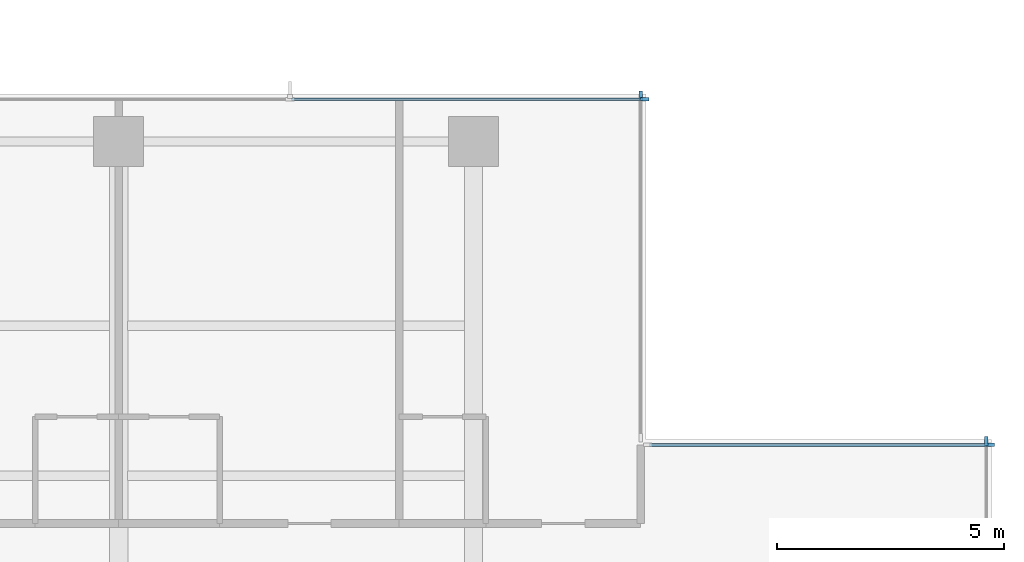
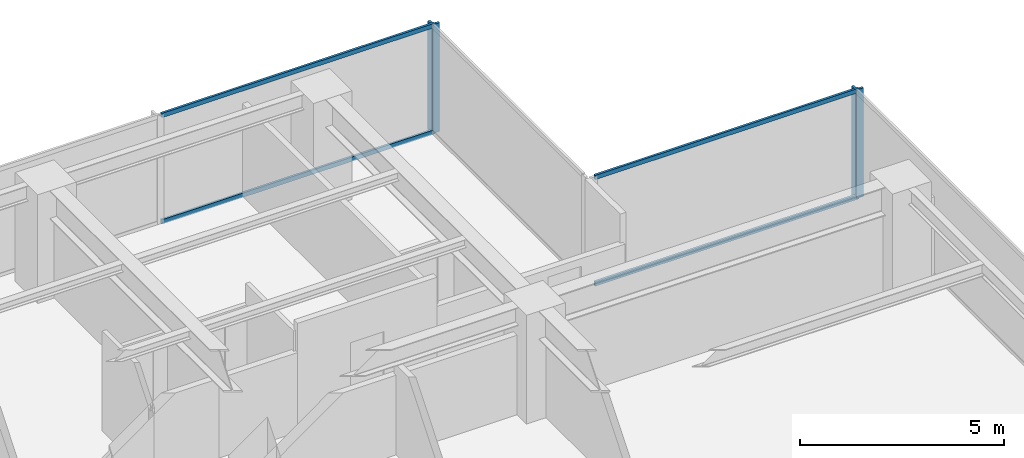
# One storey, part 5 of 14: 8 members, 4 elements without a shape of their own.
"""IFC4 building model written with IfcOpenShell, lengths in metres."""

from ifc_helpers import new_model, si_unit, direction, frame, origin, origin_2d, place, context, subcontext, project, spatial, rectangle, extrude, material, layer, layer_set, material_profile, profile_set, type_object, element, aggregate, save


model = new_model("IFC4")

# Units and contexts
model_context = context("Model", 3, precision=1e-05, world=origin(), true_north=direction((0.0, 1.0)))
body_context = subcontext(model_context, "Body", "Model", "MODEL_VIEW")
ifc_project = project(units=[si_unit("LENGTHUNIT", "METRE"), si_unit("AREAUNIT", "SQUARE_METRE"), si_unit("VOLUMEUNIT", "CUBIC_METRE"), si_unit("PLANEANGLEUNIT", "RADIAN"), si_unit("MASSUNIT", "GRAM", prefix="KILO")], contexts=[model_context])

# Site, building, storey
site_placement = place(None, origin())
site = spatial("IfcSite", under=ifc_project, at=site_placement, CompositionType="ELEMENT")
building_placement = place(site_placement, origin())
building = spatial("IfcBuilding", under=site, at=building_placement, Name="Qalmaran Belvedere Hotel", CompositionType="ELEMENT")
storey_placement = place(building_placement, frame((0.0, 0.0, 156.10009765625)))
storey = spatial("IfcBuildingStorey", under=building, at=storey_placement, Name="L39", CompositionType="ELEMENT", Elevation=156.10009765625)

# Curtain wall, member
ifc_material = material(Name="Anodised Bronze Aluminium", Category="aluminium")
ifc_layer = layer(ifc_material, 0.195068359375, Name="Anodised Bronze Aluminium")
ifc_layer_set = layer_set([ifc_layer], Name="Anodised Bronze Aluminium")
curtain_wall_type = type_object("IfcCurtainWallType", Name="CW4-TOWER-HIGHMID", PredefinedType="NOTDEFINED", material=ifc_layer_set)
curtain_wall_1_placement = place(storey_placement, origin())
curtain_wall_1 = element("IfcCurtainWall", 1, at=curtain_wall_1_placement, inside=storey, type_object=curtain_wall_type, Name="L39 Curtain Wall CW4", PredefinedType="NOTDEFINED")
ifc_material_profile_1 = material_profile(ifc_material, rectangle(XDim=0.070068359375, YDim=0.18994140625, at=origin_2d()), Name="CWM70X190")
ifc_profile_set_1 = profile_set([ifc_material_profile_1], Name="Anodised Bronze Aluminium")
member_type_1 = type_object("IfcMemberType", Name="CWM-70X190", PredefinedType="MULLION", material=ifc_profile_set_1)
member_1_placement = place(storey_placement, frame((56.080078125, 36.864990234375, 0.0), z_axis=(0.0, 0.0, 1.0), x_axis=(-1.0, 0.0, 0.0)))
member_1 = element("IfcMember", 2, at=member_1_placement, type_object=member_type_1, Name="CW4 mullion 4", PredefinedType="MULLION", context=body_context, shape_type="SweptSolid", body=[
    extrude(rectangle(XDim=0.070068359375, YDim=0.18994140625, at=origin_2d()), origin(), (0.0, 0.0, 1.0), 3.25),
])
aggregate(curtain_wall_1, [member_1])

curtain_wall_2_placement = place(storey_placement, origin())
curtain_wall_2 = element("IfcCurtainWall", 3, at=curtain_wall_2_placement, inside=storey, type_object=curtain_wall_type, Name="L39 Curtain Wall CW4", PredefinedType="NOTDEFINED")
member_2_placement = place(storey_placement, frame((56.1650390625, 36.780029296875, 0.0), z_axis=(0.0, 0.0, 1.0), x_axis=(0.0, -1.0, 0.0)))
member_2 = element("IfcMember", 4, at=member_2_placement, type_object=member_type_1, Name="CW4 mullion 1", PredefinedType="MULLION", context=body_context, shape_type="SweptSolid", body=[
    extrude(rectangle(XDim=0.070068359375, YDim=0.18994140625, at=origin_2d()), origin(), (0.0, 0.0, 1.0), 3.25),
])

curtain_wall_3_placement = place(storey_placement, origin())
curtain_wall_3 = element("IfcCurtainWall", 5, at=curtain_wall_3_placement, inside=storey, type_object=curtain_wall_type, Name="L39 Curtain Wall CW4", PredefinedType="NOTDEFINED")
member_3_placement = place(storey_placement, frame((48.47998046875, 44.465087890625, 0.0), z_axis=(0.0, 0.0, 1.0), x_axis=(-1.0, 0.0, 0.0)))
member_3 = element("IfcMember", 6, at=member_3_placement, type_object=member_type_1, Name="CW4 mullion 2", PredefinedType="MULLION", context=body_context, shape_type="SweptSolid", body=[
    extrude(rectangle(XDim=0.070068359375, YDim=0.18994140625, at=origin_2d()), origin(), (0.0, 0.0, 1.0), 3.25),
])
aggregate(curtain_wall_3, [member_3])

curtain_wall_4_placement = place(storey_placement, origin())
curtain_wall_4 = element("IfcCurtainWall", 7, at=curtain_wall_4_placement, inside=storey, type_object=curtain_wall_type, Name="L39 Curtain Wall CW4", PredefinedType="NOTDEFINED")
member_4_placement = place(storey_placement, frame((48.56494140625, 44.3798828125, 0.0), z_axis=(0.0, 0.0, 1.0), x_axis=(0.0, -1.0, 0.0)))
member_4 = element("IfcMember", 8, at=member_4_placement, type_object=member_type_1, Name="CW4 mullion 1", PredefinedType="MULLION", context=body_context, shape_type="SweptSolid", body=[
    extrude(rectangle(XDim=0.070068359375, YDim=0.18994140625, at=origin_2d()), origin(), (0.0, 0.0, 1.0), 3.25),
])

# Member
ifc_material_profile_2 = material_profile(ifc_material, rectangle(XDim=0.06494140625, YDim=0.1298828125, at=origin_2d()), Name="CWT65X130")
ifc_profile_set_2 = profile_set([ifc_material_profile_2], Name="Anodised Bronze Aluminium")
member_type_2 = type_object("IfcMemberType", Name="CWT-65X130", PredefinedType="USERDEFINED", material=ifc_profile_set_2)
member_5_placement = place(storey_placement, frame((56.1298828125, 36.780029296875, 0.032470703125), z_axis=(-1.0, 0.0, 0.0), x_axis=(0.0, -1.0, 0.0)))
member_5 = element("IfcMember", 9, at=member_5_placement, type_object=member_type_2, Name="CW4 transom 1.1", ObjectType="TRANSOM", PredefinedType="USERDEFINED", context=body_context, shape_type="SweptSolid", body=[
    extrude(rectangle(XDim=0.06494140625, YDim=0.1298828125, at=origin_2d()), origin(), (0.0, 0.0, 1.0), 7.4599609375),
])

member_6_placement = place(storey_placement, frame((56.1298828125, 36.780029296875, 3.21728515625), z_axis=(-1.0, 0.0, 0.0), x_axis=(0.0, -1.0, 0.0)))
member_6 = element("IfcMember", 10, at=member_6_placement, type_object=member_type_2, Name="CW4 transom 1.2", ObjectType="TRANSOM", PredefinedType="USERDEFINED", context=body_context, shape_type="SweptSolid", body=[
    extrude(rectangle(XDim=0.06494140625, YDim=0.1298828125, at=origin_2d()), origin(), (0.0, 0.0, 1.0), 7.4599609375),
])

aggregate(curtain_wall_2, [member_2, member_5, member_6])

member_7_placement = place(storey_placement, frame((48.530029296875, 44.3798828125, 0.032470703125), z_axis=(-1.0, 0.0, 0.0), x_axis=(0.0, -1.0, 0.0)))
member_7 = element("IfcMember", 11, at=member_7_placement, type_object=member_type_2, Name="CW4 transom 1.1", ObjectType="TRANSOM", PredefinedType="USERDEFINED", context=body_context, shape_type="SweptSolid", body=[
    extrude(rectangle(XDim=0.06494140625, YDim=0.1298828125, at=origin_2d()), origin(), (0.0, 0.0, 1.0), 7.728271484375),
])

member_8_placement = place(storey_placement, frame((48.530029296875, 44.3798828125, 3.21728515625), z_axis=(-1.0, 0.0, 0.0), x_axis=(0.0, -1.0, 0.0)))
member_8 = element("IfcMember", 12, at=member_8_placement, type_object=member_type_2, Name="CW4 transom 1.2", ObjectType="TRANSOM", PredefinedType="USERDEFINED", context=body_context, shape_type="SweptSolid", body=[
    extrude(rectangle(XDim=0.06494140625, YDim=0.1298828125, at=origin_2d()), origin(), (0.0, 0.0, 1.0), 7.728271484375),
])

aggregate(curtain_wall_4, [member_4, member_7, member_8])

save(model, "model.ifc")
